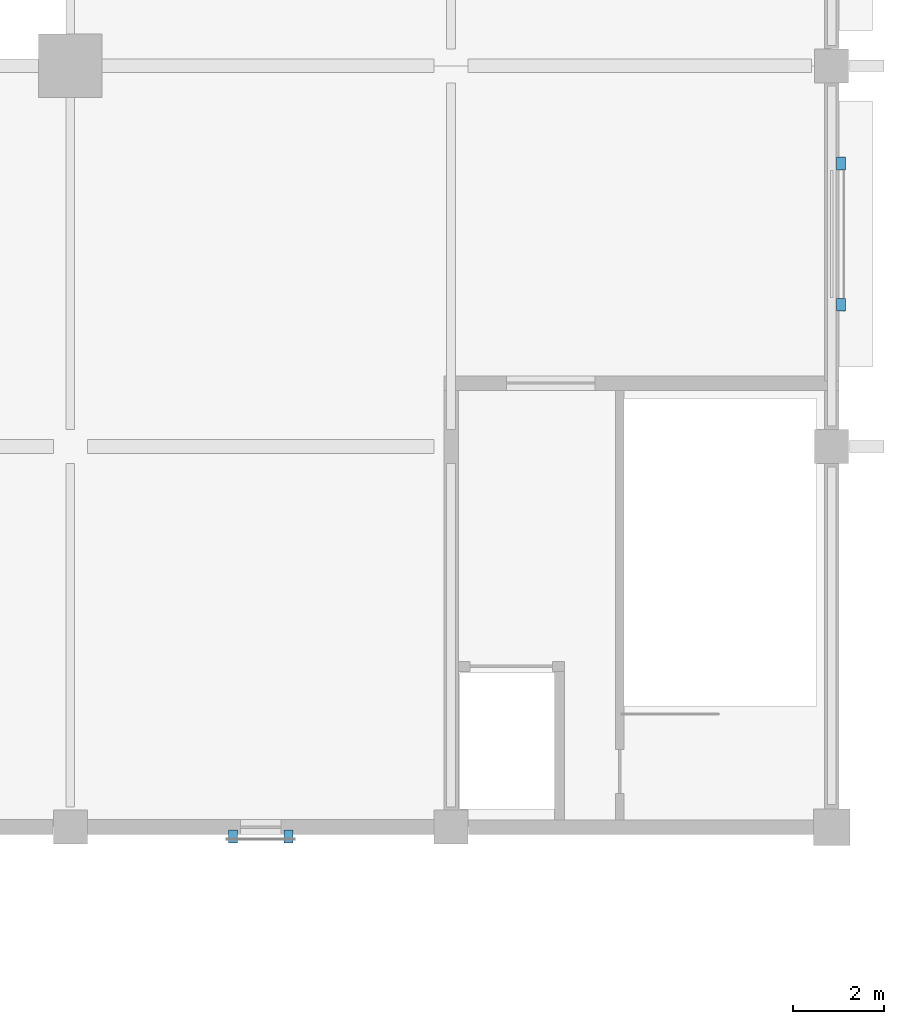
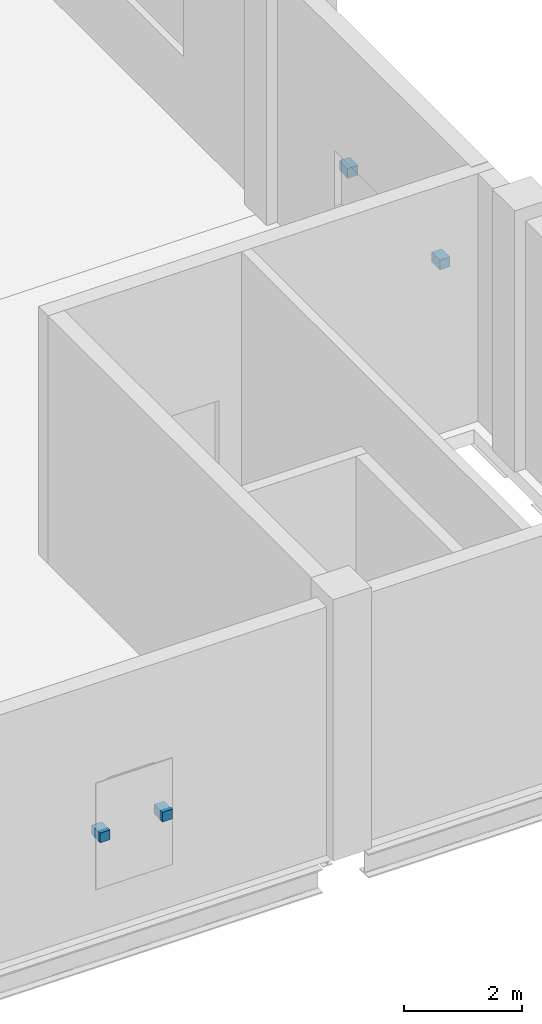
# One storey, part 67 of 72: 4 discrete accessories.
"""IFC4 building model written with IfcOpenShell, lengths in metres."""

from ifc_helpers import new_model, si_unit, direction, frame, origin, origin_2d, place, context, subcontext, project, spatial, rectangle, extrude, material, type_object, element, save


model = new_model("IFC4")

# Units and contexts
model_context = context("Model", 3, precision=1e-05, world=origin(), true_north=direction((0.0, 1.0)))
body_context = subcontext(model_context, "Body", "Model", "MODEL_VIEW")
ifc_project = project(units=[si_unit("LENGTHUNIT", "METRE"), si_unit("AREAUNIT", "SQUARE_METRE"), si_unit("VOLUMEUNIT", "CUBIC_METRE"), si_unit("PLANEANGLEUNIT", "RADIAN"), si_unit("MASSUNIT", "GRAM", prefix="KILO")], contexts=[model_context])

# Site, building, storey
site_placement = place(None, origin())
site = spatial("IfcSite", under=ifc_project, at=site_placement, CompositionType="ELEMENT")
building_placement = place(site_placement, origin())
building = spatial("IfcBuilding", under=site, at=building_placement, Name="Qawsi Khor Wholesale Market", CompositionType="ELEMENT")
storey_placement = place(building_placement, frame((0.0, 0.0, 6.0)))
storey = spatial("IfcBuildingStorey", under=building, at=storey_placement, Name="L01", CompositionType="ELEMENT", Elevation=6.0)

# Discrete accessories
ifc_material = material(Name="Steel S355", Category="steel")
discrete_accessory_type = type_object("IfcDiscreteAccessoryType", Name="Screen Fixing Bracket Steel S355", PredefinedType="BRACKET", material=ifc_material)
for number, where, z_axis, x_axis, name in (
    (1, (218.60498046875, 56.64501953125, 1.97509765625), (0.0, 0.0, 1.0), (1.0, 0.0, 0.0), "Screen bracket 092-1"),
    (2, (218.60498046875, 53.52490234375, 1.97509765625), (0.0, 0.0, 1.0), (1.0, 0.0, 0.0), "Screen bracket 092-2"),
    (3, (206.409912109375, 41.794921875, 1.9501953125), (0.0, 0.0, 1.0), (1.0, 0.0, 0.0), "Screen bracket 096-1"),
    (4, (205.18994140625, 41.794921875, 1.9501953125), (0.0, 0.0, 1.0), (1.0, 0.0, 0.0), "Screen bracket 096-2"),
):
    element("IfcDiscreteAccessory", number, at=place(storey_placement, frame(where, z_axis=z_axis, x_axis=x_axis)), inside=storey, type_object=discrete_accessory_type, Name=name, PredefinedType="BRACKET", context=body_context, shape_type="SweptSolid", body=[
        extrude(rectangle(XDim=0.199951171875, YDim=0.280029296875, at=origin_2d()), origin(), (0.0, 0.0, 1.0), 0.199951171875),
    ])

save(model, "model.ifc")
